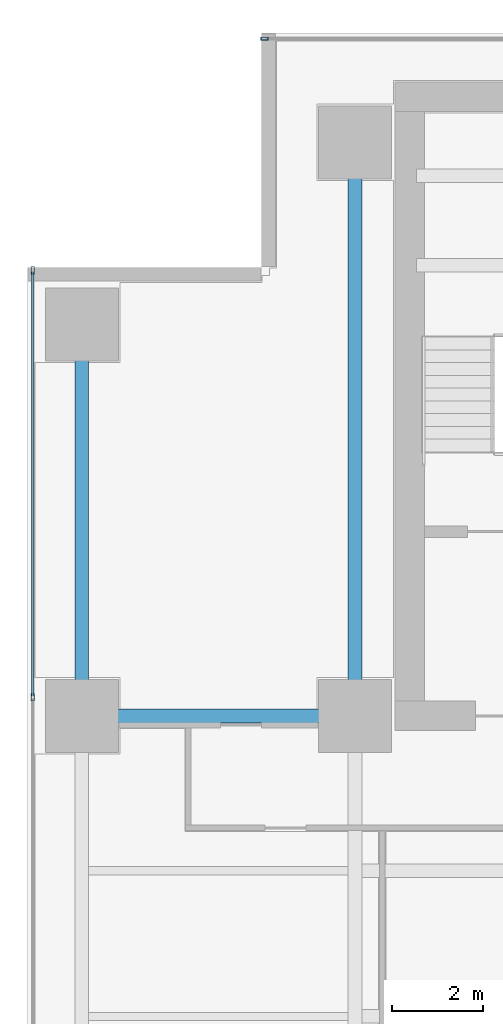
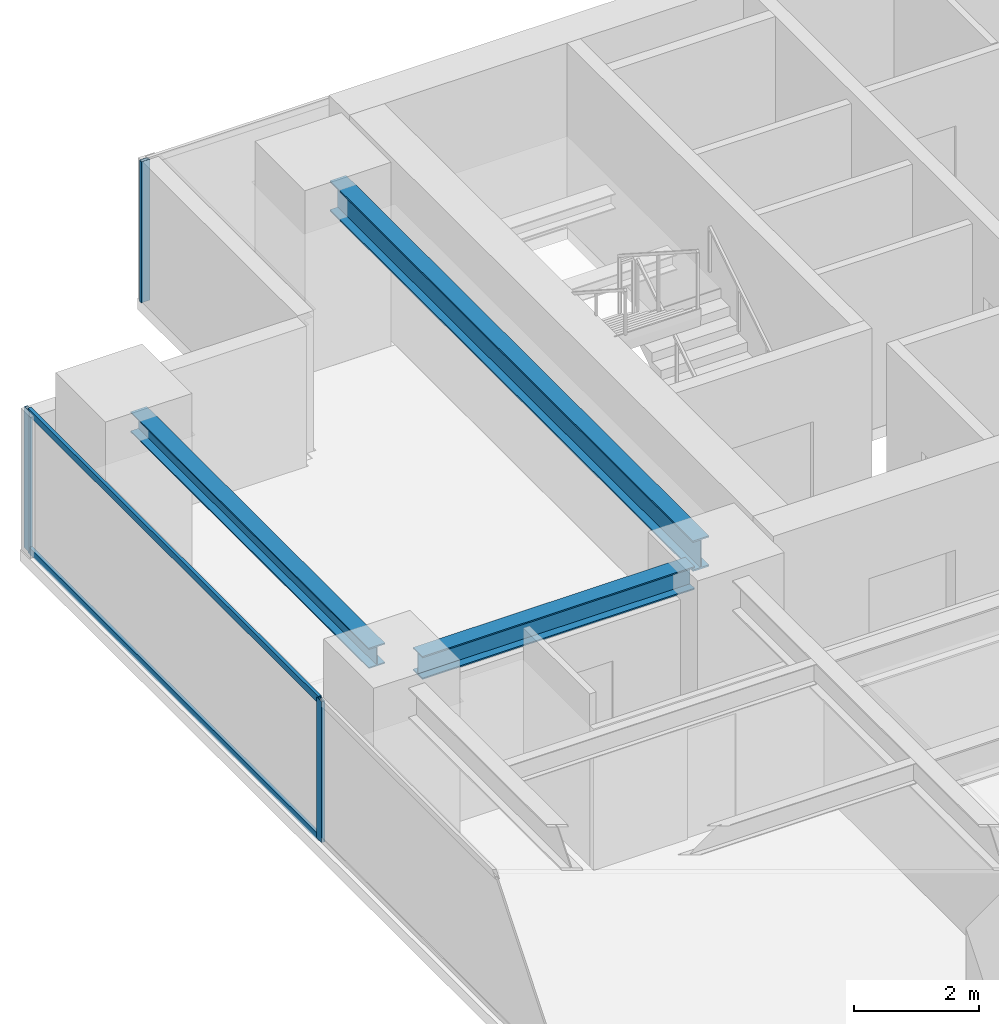
# One storey, part 14 of 27: 5 members, 3 beams, 2 elements without a shape of their own.
"""IFC4 building model written with IfcOpenShell, lengths in metres."""

import ifcopenshell
import ifcopenshell.guid

model = None  # the IFC model being written
_history = None  # IfcOwnerHistory: only IFC2X3 demands one
_inside = {}  # id of a spatial element -> (the spatial element, [elements in it])
_under = {}  # id of a project, library or spatial element -> (it, [spatial elements below it])
_declared = {}  # id of a project -> (the project, [libraries it declares])
_typed = {}  # id of a type object -> (the type object, [elements of that type])
_made_of = {}  # id of a material, layer set ... -> (it, [elements and type objects made of it])


def new_model(schema):
    """Start an empty IFC model of exactly this schema.

    Asked for "IFC4X3", IfcOpenShell would pick the latest addendum, in which some entities
    have other attributes; the version numbers below select the first issue.
    IFC2X3 requires an IfcOwnerHistory on every rooted entity: one is made here for all.
    """
    global model, _history
    if schema == "IFC4X3":
        model = ifcopenshell.file(schema_version=(4, 3, 0, 0))
    else:
        model = ifcopenshell.file(schema=schema)
    _inside.clear()
    _under.clear()
    _declared.clear()
    _typed.clear()
    _made_of.clear()
    _history = None
    if model.schema == "IFC2X3":
        org = make("IfcOrganization", Name="unknown")
        user = make(
            "IfcPersonAndOrganization",
            ThePerson=make("IfcPerson", FamilyName="unknown"),
            TheOrganization=org,
        )
        app = make(
            "IfcApplication",
            ApplicationDeveloper=org,
            Version="unknown",
            ApplicationFullName="unknown",
            ApplicationIdentifier="unknown",
        )
        _history = make(
            "IfcOwnerHistory",
            OwningUser=user,
            OwningApplication=app,
            ChangeAction="ADDED",
            CreationDate=0,
        )
    return model


def make(cls, **values):
    """One entity of the class cls with the attributes given. An attribute that is None is left unset."""
    return model.create_entity(
        cls, **{name: value for name, value in values.items() if value is not None}
    )


def rooted(cls, **values):
    """An entity with a GlobalId (a new one), such as an element, a storey or a relation."""
    return make(cls, GlobalId=ifcopenshell.guid.new(), OwnerHistory=_history, **values)


def si_unit(unit_type, name, prefix=None):
    """IfcSIUnit, for example si_unit("LENGTHUNIT", "METRE", prefix="MILLI")."""
    return make("IfcSIUnit", UnitType=unit_type, Prefix=prefix, Name=name)


def assignment(units):
    """IfcUnitAssignment: the units of a project."""
    return None if units is None else make("IfcUnitAssignment", Units=units)


def point(xyz):
    """IfcCartesianPoint."""
    return None if xyz is None else make("IfcCartesianPoint", Coordinates=xyz)


def direction(xyz):
    """IfcDirection."""
    return None if xyz is None else make("IfcDirection", DirectionRatios=xyz)


def frame(location, z_axis=None, x_axis=None):
    """IfcAxis2Placement3D, a coordinate frame: its origin and axes. An axis left out is left unset."""
    return make(
        "IfcAxis2Placement3D",
        Location=point(location),
        Axis=direction(z_axis),
        RefDirection=direction(x_axis),
    )


def frame_2d(location, x_axis=None):
    """IfcAxis2Placement2D, a coordinate frame in the plane: its origin and x axis."""
    return make(
        "IfcAxis2Placement2D", Location=point(location), RefDirection=direction(x_axis)
    )


def origin():
    """The frame at (0, 0, 0) with its axes left unset."""
    return frame((0.0, 0.0, 0.0))


def origin_2d():
    """The frame at (0, 0) in the plane with its x axis left unset."""
    return frame_2d((0.0, 0.0))


def place(relative_to, where):
    """IfcLocalPlacement: puts the frame where relative to a parent placement (None: the world)."""
    return make(
        "IfcLocalPlacement", PlacementRelTo=relative_to, RelativePlacement=where
    )


def context(
    kind, dimensions, precision=None, world=None, true_north=None, identifier=None
):
    """IfcGeometricRepresentationContext, for example the 3D "Model" context."""
    return make(
        "IfcGeometricRepresentationContext",
        ContextIdentifier=identifier,
        ContextType=kind,
        CoordinateSpaceDimension=dimensions,
        Precision=precision,
        WorldCoordinateSystem=world,
        TrueNorth=true_north,
    )


def subcontext(parent, identifier, kind, view, scale=None):
    """IfcGeometricRepresentationSubContext, for example "Body" below "Model"."""
    return make(
        "IfcGeometricRepresentationSubContext",
        ContextIdentifier=identifier,
        ContextType=kind,
        ParentContext=parent,
        TargetScale=scale,
        TargetView=view,
    )


def project(units=None, contexts=None):
    """IfcProject with its units and contexts."""
    return rooted(
        "IfcProject",
        Name="project",
        RepresentationContexts=contexts,
        UnitsInContext=assignment(units),
    )


def spatial(cls, under=None, at=None, **own):
    """A site, building, storey or space (cls), placed at a placement, below another one or the project."""
    s = rooted(cls, ObjectPlacement=at, **own)
    if under is not None:
        _under.setdefault(under.id(), (under, []))[1].append(s)
    return s


def profile(cls, at=None, kind="AREA", **sizes):
    """A parametric profile (cls). Its sizes go by their IFC names, for example OverallWidth=200.0."""
    return make(cls, ProfileType=kind, Position=at, **sizes)


def hollow_rectangle(**sizes):
    """IfcRectangleHollowProfileDef."""
    return profile("IfcRectangleHollowProfileDef", **sizes)


def i_section(**sizes):
    """IfcIShapeProfileDef."""
    return profile("IfcIShapeProfileDef", **sizes)


def extrude(swept, where, along, depth):
    """IfcExtrudedAreaSolid: the profile swept, set in the frame where, extruded along a direction by depth."""
    return make(
        "IfcExtrudedAreaSolid",
        SweptArea=swept,
        Position=where,
        ExtrudedDirection=direction(along),
        Depth=depth,
    )


def shape(context_of_items, identifier, shape_type, items):
    """IfcShapeRepresentation: the items that make up one representation, for example the "Body"."""
    return make(
        "IfcShapeRepresentation",
        ContextOfItems=context_of_items,
        RepresentationIdentifier=identifier,
        RepresentationType=shape_type,
        Items=items,
    )


def source(mapping_origin, context_of_items, identifier, shape_type, items):
    """IfcRepresentationMap: a shape defined once, which mapped items show again and again."""
    return make(
        "IfcRepresentationMap",
        MappingOrigin=mapping_origin,
        MappedRepresentation=shape(context_of_items, identifier, shape_type, items),
    )


def transform(
    local_origin,
    x_axis=None,
    y_axis=None,
    z_axis=None,
    scale=None,
    scale2=None,
    scale3=None,
    uniform=True,
):
    """IfcCartesianTransformationOperator3D, or its non-uniform kind. x_axis, y_axis, z_axis: its Axis1, 2, 3."""
    if uniform:
        return make(
            "IfcCartesianTransformationOperator3D",
            Axis1=direction(x_axis),
            Axis2=direction(y_axis),
            LocalOrigin=point(local_origin),
            Scale=scale,
            Axis3=direction(z_axis),
        )
    return make(
        "IfcCartesianTransformationOperator3DnonUniform",
        Axis1=direction(x_axis),
        Axis2=direction(y_axis),
        LocalOrigin=point(local_origin),
        Scale=scale,
        Axis3=direction(z_axis),
        Scale2=scale2,
        Scale3=scale3,
    )


def mapped(mapping_source, mapping_target):
    """IfcMappedItem: shows the shape of a source again, moved by a transform."""
    return make(
        "IfcMappedItem", MappingSource=mapping_source, MappingTarget=mapping_target
    )


def material(Name=None, Category=None):
    """IfcMaterial."""
    return make("IfcMaterial", Name=Name, Category=Category)


def layer(
    of_material, thickness, ventilated=None, Name=None, Category=None, Priority=None
):
    """IfcMaterialLayer: one layer of a wall or slab, of a material (None: an air gap)."""
    return make(
        "IfcMaterialLayer",
        Material=of_material,
        LayerThickness=thickness,
        IsVentilated=ventilated,
        Name=Name,
        Category=Category,
        Priority=Priority,
    )


def layer_set(layers, Name=None):
    """IfcMaterialLayerSet."""
    return make("IfcMaterialLayerSet", MaterialLayers=layers, LayerSetName=Name)


def material_profile(
    of_material, cross_section, Name=None, Category=None, Priority=None
):
    """IfcMaterialProfile: a cross section and its material."""
    return make(
        "IfcMaterialProfile",
        Name=Name,
        Material=of_material,
        Profile=cross_section,
        Priority=Priority,
        Category=Category,
    )


def profile_set(profiles, Name=None, composite=None):
    """IfcMaterialProfileSet."""
    return make(
        "IfcMaterialProfileSet",
        Name=Name,
        MaterialProfiles=profiles,
        CompositeProfile=composite,
    )


def made_of(thing, what):
    """Note that an element or type object is made of a material, layer set ...; save() writes the relation."""
    if what is not None:
        _made_of.setdefault(what.id(), (what, []))[1].append(thing)
    return thing


def type_object(cls, material=None, **own):
    """A type object (cls), such as IfcWallType, which elements share."""
    return made_of(rooted(cls, **own), material)


def element(
    cls,
    number,
    at=None,
    inside=None,
    cuts=None,
    type_object=None,
    material=None,
    context=None,
    identifier="Body",
    shape_type=None,
    held_by="IfcProductDefinitionShape",
    body=None,
    shapes=None,
    **own,
):
    """One element of the class cls, such as IfcWall. Its Tag is "e" and its number.

    at: its placement. inside: the storey or other place that contains it. cuts: it is an
    opening in that element (IfcRelVoidsElement). A single representation is given by context,
    identifier, shape_type and body (its items); several are given by shapes. held_by: the class
    of the entity that holds the representations. save() writes the other relations.
    """
    e = rooted(cls, Tag="e%d" % number, ObjectPlacement=at, **own)
    if body is not None:
        shapes = [shape(context, identifier, shape_type, body)]
    if shapes is not None:
        e.Representation = make(held_by, Representations=shapes)
    if inside is not None:
        _inside.setdefault(inside.id(), (inside, []))[1].append(e)
    if cuts is not None:
        rooted(
            "IfcRelVoidsElement", RelatingBuildingElement=cuts, RelatedOpeningElement=e
        )
    if type_object is not None:
        _typed.setdefault(type_object.id(), (type_object, []))[1].append(e)
    return made_of(e, material)


def aggregate(whole, parts):
    """IfcRelAggregates: a whole, such as a stair, and the parts it consists of."""
    return rooted("IfcRelAggregates", RelatingObject=whole, RelatedObjects=parts)


def save(model, path):
    """Write the relations noted so far, then the file.

    IfcRelAggregates (storeys below a building ...), IfcRelContainedInSpatialStructure (elements
    in a storey), IfcRelDefinesByType, IfcRelAssociatesMaterial and IfcRelDeclares: one each for
    every whole, place, type object, material and project.
    """
    for whole, parts in _under.values():
        aggregate(whole, parts)
    for where, things in _inside.values():
        rooted(
            "IfcRelContainedInSpatialStructure",
            RelatedElements=things,
            RelatingStructure=where,
        )
    for kind, things in _typed.values():
        rooted("IfcRelDefinesByType", RelatedObjects=things, RelatingType=kind)
    for what, things in _made_of.values():
        rooted("IfcRelAssociatesMaterial", RelatedObjects=things, RelatingMaterial=what)
    for by, libraries in _declared.values():
        rooted("IfcRelDeclares", RelatingContext=by, RelatedDefinitions=libraries)
    model.write(path)


model = new_model("IFC4")

# Units and contexts
model_context = context("Model", 3, precision=1e-05, world=origin(), true_north=direction((0.0, 1.0)))
body_context = subcontext(model_context, "Body", "Model", "MODEL_VIEW")
ifc_project = project(units=[si_unit("LENGTHUNIT", "METRE"), si_unit("AREAUNIT", "SQUARE_METRE"), si_unit("VOLUMEUNIT", "CUBIC_METRE"), si_unit("PLANEANGLEUNIT", "RADIAN"), si_unit("MASSUNIT", "GRAM", prefix="KILO")], contexts=[model_context])

# Site, building, storey
site_placement = place(None, origin())
site = spatial("IfcSite", under=ifc_project, at=site_placement, CompositionType="ELEMENT")
building_placement = place(site_placement, origin())
building = spatial("IfcBuilding", under=site, at=building_placement, Name="Sumidabori Civic Tower", CompositionType="ELEMENT")
storey_placement = place(building_placement, frame((0.0, 0.0, 142.39990234375)))
storey = spatial("IfcBuildingStorey", under=building, at=storey_placement, Name="L36", CompositionType="ELEMENT", Elevation=142.39990234375)

# Beams
ifc_material_1 = material(Name="Steel SN490", Category="steel")
ifc_material_profile_1 = material_profile(ifc_material_1, i_section(OverallWidth=0.300048828125, OverallDepth=0.39990234375, WebThickness=0.013427734375, FlangeThickness=0.02392578125, at=origin_2d()), Name="HE 400 B")
ifc_profile_set_1 = profile_set([ifc_material_profile_1], Name="Steel SN490")
beam_type_1 = type_object("IfcBeamType", Name="BM-GIRD-400", PredefinedType="BEAM", material=ifc_profile_set_1)
shared_shape_1 = source(origin(), body_context, "Body", "SweptSolid", [
    extrude(i_section(OverallWidth=0.300048828125, OverallDepth=0.39990234375, WebThickness=0.013427734375, FlangeThickness=0.02392578125, at=origin_2d()), origin(), (0.0, 0.0, 1.0), 7.64013671875),
])
beam_1_placement = place(storey_placement, frame((-22.800048828125, 10.679931640625, 3.18017578125), z_axis=(0.0, 1.0, 0.0), x_axis=(-1.0, 0.0, 0.0)))
element("IfcBeam", 1, at=beam_1_placement, inside=storey, type_object=beam_type_1, Name="Primary Girder L36 GY-21", PredefinedType="BEAM", context=body_context, shape_type="MappedRepresentation", body=[
    mapped(shared_shape_1, transform((0.0, 0.0, 0.0), x_axis=(1.0, 0.0, 0.0), y_axis=(0.0, 1.0, 0.0), z_axis=(0.0, 0.0, 1.0), scale=1.0)),
])
ifc_material_profile_2 = material_profile(ifc_material_1, i_section(OverallWidth=0.300048828125, OverallDepth=0.60009765625, WebThickness=0.015380859375, FlangeThickness=0.030029296875, at=origin_2d()), Name="HE 600 B")
ifc_profile_set_2 = profile_set([ifc_material_profile_2], Name="Steel SN490")
beam_type_2 = type_object("IfcBeamType", Name="BM-GIRD-600", PredefinedType="BEAM", material=ifc_profile_set_2)
shared_shape_2 = source(origin(), body_context, "Body", "SweptSolid", [
    extrude(i_section(OverallWidth=0.300048828125, OverallDepth=0.60009765625, WebThickness=0.015380859375, FlangeThickness=0.030029296875, at=origin_2d()), origin(), (0.0, 0.0, 1.0), 11.64013671875),
])
beam_2_placement = place(storey_placement, frame((-16.800048828125, 10.679931640625, 3.080078125), z_axis=(0.0, 1.0, 0.0), x_axis=(-1.0, 0.0, 0.0)))
element("IfcBeam", 2, at=beam_2_placement, inside=storey, type_object=beam_type_2, Name="Primary Girder L36 GY-25", PredefinedType="BEAM", context=body_context, shape_type="MappedRepresentation", body=[
    mapped(shared_shape_2, transform((0.0, 0.0, 0.0), x_axis=(1.0, 0.0, 0.0), y_axis=(0.0, 1.0, 0.0), z_axis=(0.0, 0.0, 1.0), scale=1.0)),
])
ifc_material_profile_3 = material_profile(ifc_material_1, i_section(OverallWidth=0.300048828125, OverallDepth=0.449951171875, WebThickness=0.013916015625, FlangeThickness=0.02587890625, at=origin_2d()), Name="HE 450 B")
ifc_profile_set_3 = profile_set([ifc_material_profile_3], Name="Steel SN490")
beam_type_3 = type_object("IfcBeamType", Name="BM-GIRD-450", PredefinedType="BEAM", material=ifc_profile_set_3)
shared_shape_3 = source(origin(), body_context, "Body", "SweptSolid", [
    extrude(i_section(OverallWidth=0.300048828125, OverallDepth=0.449951171875, WebThickness=0.013916015625, FlangeThickness=0.02587890625, at=origin_2d()), origin(), (0.0, 0.0, 1.0), 5.0400390625),
])
beam_3_placement = place(storey_placement, frame((-22.320068359375, 10.199951171875, 3.155029296875), z_axis=(1.0, 0.0, 0.0), x_axis=(0.0, 1.0, 0.0)))
element("IfcBeam", 3, at=beam_3_placement, inside=storey, type_object=beam_type_3, Name="Primary Girder L36 GX-17", PredefinedType="BEAM", context=body_context, shape_type="MappedRepresentation", body=[
    mapped(shared_shape_3, transform((0.0, 0.0, 0.0), x_axis=(1.0, 0.0, 0.0), y_axis=(0.0, 1.0, 0.0), z_axis=(0.0, 0.0, 1.0), scale=1.0)),
])

# Curtain wall, member
ifc_material_2 = material(Name="Anodised Bronze Aluminium AW-6063-T6", Category="aluminium")
ifc_layer = layer(ifc_material_2, 0.179931640625, Name="Anodised Bronze Aluminium AW-6063-T6")
ifc_layer_set = layer_set([ifc_layer], Name="Anodised Bronze Aluminium AW-6063-T6")
curtain_wall_type = type_object("IfcCurtainWallType", Name="CW-SYS-3", PredefinedType="NOTDEFINED", material=ifc_layer_set)
curtain_wall_1_placement = place(storey_placement, origin())
curtain_wall_1 = element("IfcCurtainWall", 4, at=curtain_wall_1_placement, inside=storey, type_object=curtain_wall_type, Name="Curtain Wall CW:L36:R07", PredefinedType="NOTDEFINED")
ifc_material_profile_4 = material_profile(ifc_material_2, hollow_rectangle(XDim=0.06494140625, YDim=0.159912109375, WallThickness=0.0048828125, at=origin_2d()), Name="ALU MULLION 160x65")
ifc_profile_set_4 = profile_set([ifc_material_profile_4], Name="Anodised Bronze Aluminium AW-6063-T6")
member_type_1 = type_object("IfcMemberType", Name="CW-MUL-160", PredefinedType="MULLION", material=ifc_profile_set_4)
shared_shape_4 = source(origin(), body_context, "Body", "SweptSolid", [
    extrude(hollow_rectangle(XDim=0.06494140625, YDim=0.159912109375, WallThickness=0.0048828125, at=origin_2d()), origin(), (0.0, 0.0, 1.0), 2.760009765625),
])
member_1_placement = place(storey_placement, frame((-18.78759765625, 25.080078125, 0.0), z_axis=(0.0, 0.0, 1.0), x_axis=(0.0, -1.0, 0.0)))
member_1 = element("IfcMember", 5, at=member_1_placement, type_object=member_type_1, Name="CW-3 mullion 5", PredefinedType="MULLION", context=body_context, shape_type="MappedRepresentation", body=[
    mapped(shared_shape_4, transform((0.0, 0.0, 0.0), x_axis=(1.0, 0.0, 0.0), y_axis=(0.0, 1.0, 0.0), z_axis=(0.0, 0.0, 1.0), scale=1.0)),
])
aggregate(curtain_wall_1, [member_1])

# Curtain wall, members
curtain_wall_2_placement = place(storey_placement, origin())
curtain_wall_2 = element("IfcCurtainWall", 6, at=curtain_wall_2_placement, inside=storey, type_object=curtain_wall_type, Name="Curtain Wall CW:L36:R10", PredefinedType="NOTDEFINED")
member_2_placement = place(storey_placement, frame((-23.8798828125, 19.987548828125, 0.0), z_axis=(0.0, 0.0, 1.0), x_axis=(1.0, 0.0, 0.0)))
member_2 = element("IfcMember", 7, at=member_2_placement, type_object=member_type_1, Name="CW-3 mullion 1", PredefinedType="MULLION", context=body_context, shape_type="MappedRepresentation", body=[
    mapped(shared_shape_4, transform((0.0, 0.0, 0.0), x_axis=(1.0, 0.0, 0.0), y_axis=(0.0, 1.0, 0.0), z_axis=(0.0, 0.0, 1.0), scale=1.0)),
])
member_3_placement = place(storey_placement, frame((-23.8798828125, 10.610107421875, 0.0), z_axis=(0.0, 0.0, 1.0), x_axis=(1.0, 0.0, 0.0)))
member_3 = element("IfcMember", 8, at=member_3_placement, type_object=member_type_1, Name="CW-3 mullion 2", PredefinedType="MULLION", context=body_context, shape_type="MappedRepresentation", body=[
    mapped(shared_shape_4, transform((0.0, 0.0, 0.0), x_axis=(1.0, 0.0, 0.0), y_axis=(0.0, 1.0, 0.0), z_axis=(0.0, 0.0, 1.0), scale=1.0)),
])
ifc_material_profile_5 = material_profile(ifc_material_2, hollow_rectangle(XDim=0.06005859375, YDim=0.1298828125, WallThickness=0.0048828125, at=origin_2d()), Name="ALU TRANSOM 130x60")
ifc_profile_set_5 = profile_set([ifc_material_profile_5], Name="Anodised Bronze Aluminium AW-6063-T6")
member_type_2 = type_object("IfcMemberType", Name="CW-TRN-130", PredefinedType="USERDEFINED", material=ifc_profile_set_5)
shared_shape_5 = source(origin(), body_context, "Body", "SweptSolid", [
    extrude(hollow_rectangle(XDim=0.06005859375, YDim=0.1298828125, WallThickness=0.0048828125, at=origin_2d()), origin(), (0.0, 0.0, 1.0), 9.3125),
])
member_4_placement = place(storey_placement, frame((-23.8798828125, 19.955078125, 0.030029296875), z_axis=(0.0, -1.0, 0.0), x_axis=(1.0, 0.0, 0.0)))
member_4 = element("IfcMember", 9, at=member_4_placement, type_object=member_type_2, Name="CW-3 transom 1.1", ObjectType="TRANSOM", PredefinedType="USERDEFINED", context=body_context, shape_type="MappedRepresentation", body=[
    mapped(shared_shape_5, transform((0.0, 0.0, 0.0), x_axis=(1.0, 0.0, 0.0), y_axis=(0.0, 1.0, 0.0), z_axis=(0.0, 0.0, 1.0), scale=1.0)),
])
member_5_placement = place(storey_placement, frame((-23.8798828125, 19.955078125, 2.72998046875), z_axis=(0.0, -1.0, 0.0), x_axis=(1.0, 0.0, 0.0)))
member_5 = element("IfcMember", 10, at=member_5_placement, type_object=member_type_2, Name="CW-3 transom 1.2", ObjectType="TRANSOM", PredefinedType="USERDEFINED", context=body_context, shape_type="MappedRepresentation", body=[
    mapped(shared_shape_5, transform((0.0, 0.0, 0.0), x_axis=(1.0, 0.0, 0.0), y_axis=(0.0, 1.0, 0.0), z_axis=(0.0, 0.0, 1.0), scale=1.0)),
])
aggregate(curtain_wall_2, [member_2, member_3, member_4, member_5])

save(model, "model.ifc")
